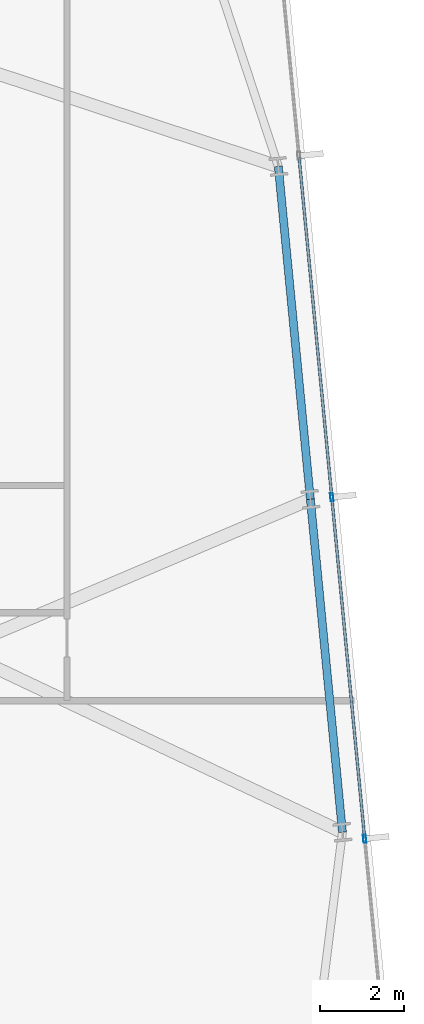
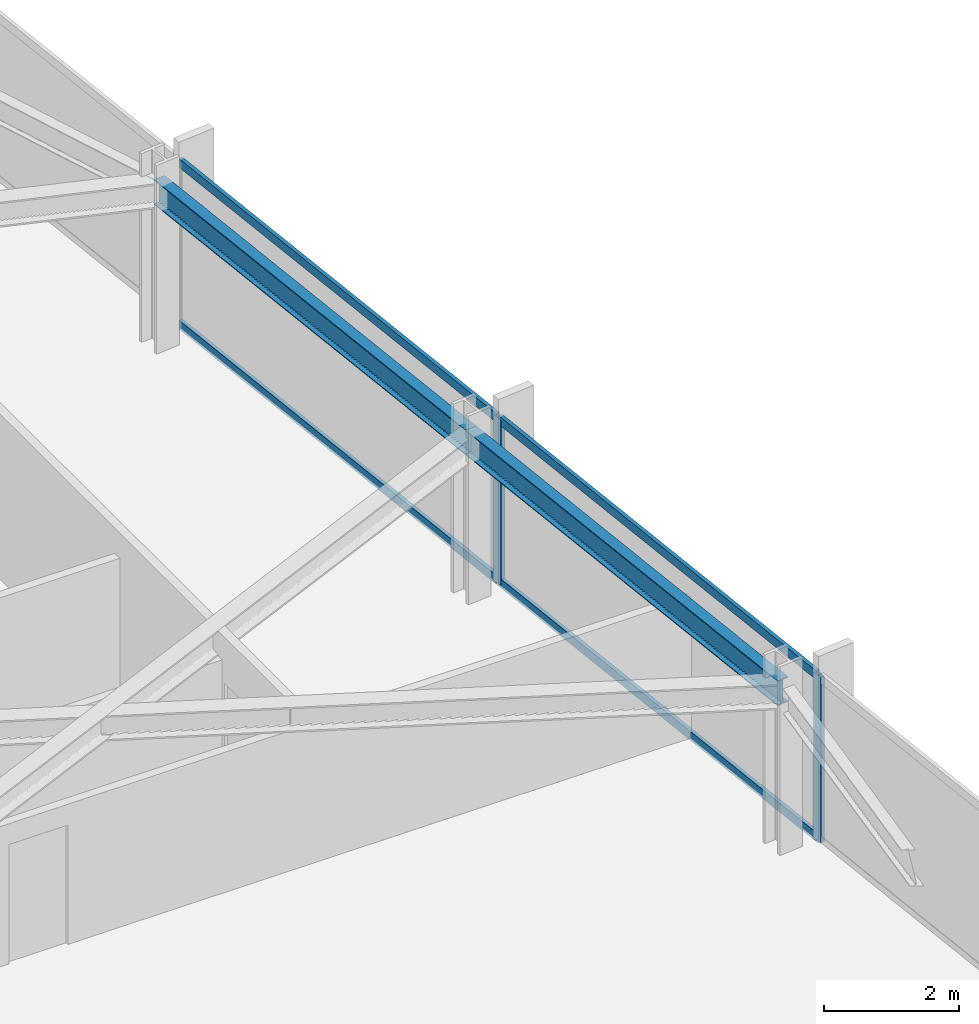
# One storey, part 16 of 32: 6 members, 2 beams, 1 element without a shape of its own.
"""IFC4 building model written with IfcOpenShell, lengths in metres."""

import ifcopenshell
import ifcopenshell.guid

model = None  # the IFC model being written
_history = None  # IfcOwnerHistory: only IFC2X3 demands one
_inside = {}  # id of a spatial element -> (the spatial element, [elements in it])
_under = {}  # id of a project, library or spatial element -> (it, [spatial elements below it])
_declared = {}  # id of a project -> (the project, [libraries it declares])
_typed = {}  # id of a type object -> (the type object, [elements of that type])
_made_of = {}  # id of a material, layer set ... -> (it, [elements and type objects made of it])


def new_model(schema):
    """Start an empty IFC model of exactly this schema.

    Asked for "IFC4X3", IfcOpenShell would pick the latest addendum, in which some entities
    have other attributes; the version numbers below select the first issue.
    IFC2X3 requires an IfcOwnerHistory on every rooted entity: one is made here for all.
    """
    global model, _history
    if schema == "IFC4X3":
        model = ifcopenshell.file(schema_version=(4, 3, 0, 0))
    else:
        model = ifcopenshell.file(schema=schema)
    _inside.clear()
    _under.clear()
    _declared.clear()
    _typed.clear()
    _made_of.clear()
    _history = None
    if model.schema == "IFC2X3":
        org = make("IfcOrganization", Name="unknown")
        user = make(
            "IfcPersonAndOrganization",
            ThePerson=make("IfcPerson", FamilyName="unknown"),
            TheOrganization=org,
        )
        app = make(
            "IfcApplication",
            ApplicationDeveloper=org,
            Version="unknown",
            ApplicationFullName="unknown",
            ApplicationIdentifier="unknown",
        )
        _history = make(
            "IfcOwnerHistory",
            OwningUser=user,
            OwningApplication=app,
            ChangeAction="ADDED",
            CreationDate=0,
        )
    return model


def make(cls, **values):
    """One entity of the class cls with the attributes given. An attribute that is None is left unset."""
    return model.create_entity(
        cls, **{name: value for name, value in values.items() if value is not None}
    )


def rooted(cls, **values):
    """An entity with a GlobalId (a new one), such as an element, a storey or a relation."""
    return make(cls, GlobalId=ifcopenshell.guid.new(), OwnerHistory=_history, **values)


def si_unit(unit_type, name, prefix=None):
    """IfcSIUnit, for example si_unit("LENGTHUNIT", "METRE", prefix="MILLI")."""
    return make("IfcSIUnit", UnitType=unit_type, Prefix=prefix, Name=name)


def assignment(units):
    """IfcUnitAssignment: the units of a project."""
    return None if units is None else make("IfcUnitAssignment", Units=units)


def point(xyz):
    """IfcCartesianPoint."""
    return None if xyz is None else make("IfcCartesianPoint", Coordinates=xyz)


def direction(xyz):
    """IfcDirection."""
    return None if xyz is None else make("IfcDirection", DirectionRatios=xyz)


def frame(location, z_axis=None, x_axis=None):
    """IfcAxis2Placement3D, a coordinate frame: its origin and axes. An axis left out is left unset."""
    return make(
        "IfcAxis2Placement3D",
        Location=point(location),
        Axis=direction(z_axis),
        RefDirection=direction(x_axis),
    )


def frame_2d(location, x_axis=None):
    """IfcAxis2Placement2D, a coordinate frame in the plane: its origin and x axis."""
    return make(
        "IfcAxis2Placement2D", Location=point(location), RefDirection=direction(x_axis)
    )


def origin():
    """The frame at (0, 0, 0) with its axes left unset."""
    return frame((0.0, 0.0, 0.0))


def origin_2d():
    """The frame at (0, 0) in the plane with its x axis left unset."""
    return frame_2d((0.0, 0.0))


def place(relative_to, where):
    """IfcLocalPlacement: puts the frame where relative to a parent placement (None: the world)."""
    return make(
        "IfcLocalPlacement", PlacementRelTo=relative_to, RelativePlacement=where
    )


def context(
    kind, dimensions, precision=None, world=None, true_north=None, identifier=None
):
    """IfcGeometricRepresentationContext, for example the 3D "Model" context."""
    return make(
        "IfcGeometricRepresentationContext",
        ContextIdentifier=identifier,
        ContextType=kind,
        CoordinateSpaceDimension=dimensions,
        Precision=precision,
        WorldCoordinateSystem=world,
        TrueNorth=true_north,
    )


def subcontext(parent, identifier, kind, view, scale=None):
    """IfcGeometricRepresentationSubContext, for example "Body" below "Model"."""
    return make(
        "IfcGeometricRepresentationSubContext",
        ContextIdentifier=identifier,
        ContextType=kind,
        ParentContext=parent,
        TargetScale=scale,
        TargetView=view,
    )


def project(units=None, contexts=None):
    """IfcProject with its units and contexts."""
    return rooted(
        "IfcProject",
        Name="project",
        RepresentationContexts=contexts,
        UnitsInContext=assignment(units),
    )


def spatial(cls, under=None, at=None, **own):
    """A site, building, storey or space (cls), placed at a placement, below another one or the project."""
    s = rooted(cls, ObjectPlacement=at, **own)
    if under is not None:
        _under.setdefault(under.id(), (under, []))[1].append(s)
    return s


def profile(cls, at=None, kind="AREA", **sizes):
    """A parametric profile (cls). Its sizes go by their IFC names, for example OverallWidth=200.0."""
    return make(cls, ProfileType=kind, Position=at, **sizes)


def hollow_rectangle(**sizes):
    """IfcRectangleHollowProfileDef."""
    return profile("IfcRectangleHollowProfileDef", **sizes)


def i_section(**sizes):
    """IfcIShapeProfileDef."""
    return profile("IfcIShapeProfileDef", **sizes)


def extrude(swept, where, along, depth):
    """IfcExtrudedAreaSolid: the profile swept, set in the frame where, extruded along a direction by depth."""
    return make(
        "IfcExtrudedAreaSolid",
        SweptArea=swept,
        Position=where,
        ExtrudedDirection=direction(along),
        Depth=depth,
    )


def shape(context_of_items, identifier, shape_type, items):
    """IfcShapeRepresentation: the items that make up one representation, for example the "Body"."""
    return make(
        "IfcShapeRepresentation",
        ContextOfItems=context_of_items,
        RepresentationIdentifier=identifier,
        RepresentationType=shape_type,
        Items=items,
    )


def material(Name=None, Category=None):
    """IfcMaterial."""
    return make("IfcMaterial", Name=Name, Category=Category)


def material_profile(
    of_material, cross_section, Name=None, Category=None, Priority=None
):
    """IfcMaterialProfile: a cross section and its material."""
    return make(
        "IfcMaterialProfile",
        Name=Name,
        Material=of_material,
        Profile=cross_section,
        Priority=Priority,
        Category=Category,
    )


def profile_set(profiles, Name=None, composite=None):
    """IfcMaterialProfileSet."""
    return make(
        "IfcMaterialProfileSet",
        Name=Name,
        MaterialProfiles=profiles,
        CompositeProfile=composite,
    )


def made_of(thing, what):
    """Note that an element or type object is made of a material, layer set ...; save() writes the relation."""
    if what is not None:
        _made_of.setdefault(what.id(), (what, []))[1].append(thing)
    return thing


def type_object(cls, material=None, **own):
    """A type object (cls), such as IfcWallType, which elements share."""
    return made_of(rooted(cls, **own), material)


def element(
    cls,
    number,
    at=None,
    inside=None,
    cuts=None,
    type_object=None,
    material=None,
    context=None,
    identifier="Body",
    shape_type=None,
    held_by="IfcProductDefinitionShape",
    body=None,
    shapes=None,
    **own,
):
    """One element of the class cls, such as IfcWall. Its Tag is "e" and its number.

    at: its placement. inside: the storey or other place that contains it. cuts: it is an
    opening in that element (IfcRelVoidsElement). A single representation is given by context,
    identifier, shape_type and body (its items); several are given by shapes. held_by: the class
    of the entity that holds the representations. save() writes the other relations.
    """
    e = rooted(cls, Tag="e%d" % number, ObjectPlacement=at, **own)
    if body is not None:
        shapes = [shape(context, identifier, shape_type, body)]
    if shapes is not None:
        e.Representation = make(held_by, Representations=shapes)
    if inside is not None:
        _inside.setdefault(inside.id(), (inside, []))[1].append(e)
    if cuts is not None:
        rooted(
            "IfcRelVoidsElement", RelatingBuildingElement=cuts, RelatedOpeningElement=e
        )
    if type_object is not None:
        _typed.setdefault(type_object.id(), (type_object, []))[1].append(e)
    return made_of(e, material)


def aggregate(whole, parts):
    """IfcRelAggregates: a whole, such as a stair, and the parts it consists of."""
    return rooted("IfcRelAggregates", RelatingObject=whole, RelatedObjects=parts)


def save(model, path):
    """Write the relations noted so far, then the file.

    IfcRelAggregates (storeys below a building ...), IfcRelContainedInSpatialStructure (elements
    in a storey), IfcRelDefinesByType, IfcRelAssociatesMaterial and IfcRelDeclares: one each for
    every whole, place, type object, material and project.
    """
    for whole, parts in _under.values():
        aggregate(whole, parts)
    for where, things in _inside.values():
        rooted(
            "IfcRelContainedInSpatialStructure",
            RelatedElements=things,
            RelatingStructure=where,
        )
    for kind, things in _typed.values():
        rooted("IfcRelDefinesByType", RelatedObjects=things, RelatingType=kind)
    for what, things in _made_of.values():
        rooted("IfcRelAssociatesMaterial", RelatedObjects=things, RelatingMaterial=what)
    for by, libraries in _declared.values():
        rooted("IfcRelDeclares", RelatingContext=by, RelatedDefinitions=libraries)
    model.write(path)


model = new_model("IFC4")

# Units and contexts
model_context = context("Model", 3, precision=1e-05, world=origin(), true_north=direction((0.0, 1.0)))
body_context = subcontext(model_context, "Body", "Model", "MODEL_VIEW")
ifc_project = project(units=[si_unit("LENGTHUNIT", "METRE"), si_unit("AREAUNIT", "SQUARE_METRE"), si_unit("VOLUMEUNIT", "CUBIC_METRE"), si_unit("PLANEANGLEUNIT", "RADIAN"), si_unit("MASSUNIT", "GRAM", prefix="KILO")], contexts=[model_context])

# Site, building, storey
site_placement = place(None, origin())
site = spatial("IfcSite", under=ifc_project, at=site_placement, CompositionType="ELEMENT")
building_placement = place(site_placement, origin())
building = spatial("IfcBuilding", under=site, at=building_placement, Name="Yelkora Congress Tower", CompositionType="ELEMENT")
storey_placement = place(building_placement, frame((0.0, 0.0, 133.89990234375)))
storey = spatial("IfcBuildingStorey", under=building, at=storey_placement, Name="L36", CompositionType="ELEMENT", Elevation=133.89990234375)

# Beams
ifc_material_1 = material(Name="Steel S355J2", Category="steel")
ifc_material_profile_1 = material_profile(ifc_material_1, i_section(OverallWidth=0.18994140625, OverallDepth=0.449951171875, WebThickness=0.009521484375, FlangeThickness=0.0146484375, FilletRadius=0.02099609375, at=origin_2d()), Name="IPE 450")
ifc_profile_set_1 = profile_set([ifc_material_profile_1], Name="Steel S355J2")
beam_type = type_object("IfcBeamType", Name="BM-SPAN-IPE450", PredefinedType="SPANDREL", material=ifc_profile_set_1)
beam_1_placement = place(storey_placement, frame((76.041259765625, 24.83349609375, 2.755126953125), z_axis=(-0.095839787071, 0.995396772757, 0.0), x_axis=(-0.995396772757, -0.095839787071, 0.0)))
element("IfcBeam", 1, at=beam_1_placement, inside=storey, type_object=beam_type, Name="L36 Perimeter Beam 11", PredefinedType="SPANDREL", context=body_context, shape_type="SweptSolid", body=[
    extrude(i_section(OverallWidth=0.18994140625, OverallDepth=0.449951171875, WebThickness=0.009521484375, FlangeThickness=0.0146484375, FilletRadius=0.02099609375, at=origin_2d()), origin(), (0.0, 0.0, 1.0), 7.9248046875),
])
beam_2_placement = place(storey_placement, frame((75.28173828125, 32.721923828125, 2.755126953125), z_axis=(-0.09583684824, 0.995397055712, 0.0), x_axis=(-0.995397055712, -0.09583684824, 0.0)))
element("IfcBeam", 2, at=beam_2_placement, inside=storey, type_object=beam_type, Name="L36 Perimeter Beam 12", PredefinedType="SPANDREL", context=body_context, shape_type="SweptSolid", body=[
    extrude(i_section(OverallWidth=0.18994140625, OverallDepth=0.449951171875, WebThickness=0.009521484375, FlangeThickness=0.0146484375, FilletRadius=0.02099609375, at=origin_2d()), origin(), (0.0, 0.0, 1.0), 7.925048828125),
])

# Curtain wall, members
ifc_material_2 = material(Name="Anodised aluminium and insulated glass", Category="aluminium")
curtain_wall_type = type_object("IfcCurtainWallType", Name="CW-SYS-B2", PredefinedType="NOTDEFINED", material=ifc_material_2)
curtain_wall_placement = place(storey_placement, origin())
curtain_wall = element("IfcCurtainWall", 3, at=curtain_wall_placement, inside=storey, type_object=curtain_wall_type, Name="L36 Unitised Curtain Wall 15", PredefinedType="NOTDEFINED")
ifc_material_3 = material(Name="Anodised aluminium 6063-T6", Category="aluminium")
ifc_material_profile_2 = material_profile(ifc_material_3, hollow_rectangle(XDim=0.070068359375, YDim=0.18994140625, WallThickness=0.00390625, at=origin_2d()), Name="ALU 70x190x4")
ifc_profile_set_2 = profile_set([ifc_material_profile_2], Name="Anodised aluminium 6063-T6")
member_type_1 = type_object("IfcMemberType", Name="MEM-ML-B2", PredefinedType="MULLION", material=ifc_profile_set_2)
member_1_placement = place(storey_placement, frame((75.789306640625, 32.770751953125, 0.0), z_axis=(0.0, 0.0, 1.0), x_axis=(0.995396507508, 0.095842541913, 0.0)))
member_1 = element("IfcMember", 4, at=member_1_placement, type_object=member_type_1, Name="CW-B2 mullion 3", PredefinedType="MULLION", context=body_context, shape_type="SweptSolid", body=[
    extrude(hollow_rectangle(XDim=0.070068359375, YDim=0.18994140625, WallThickness=0.00390625, at=origin_2d()), origin(), (0.0, 0.0, 1.0), 2.97998046875),
])
member_2_placement = place(storey_placement, frame((76.568603515625, 24.67822265625, 0.0), z_axis=(0.0, 0.0, 1.0), x_axis=(0.995396507508, 0.095842541913, 0.0)))
member_2 = element("IfcMember", 5, at=member_2_placement, type_object=member_type_1, Name="CW-B2 mullion 4", PredefinedType="MULLION", context=body_context, shape_type="SweptSolid", body=[
    extrude(hollow_rectangle(XDim=0.070068359375, YDim=0.18994140625, WallThickness=0.00390625, at=origin_2d()), origin(), (0.0, 0.0, 1.0), 2.97998046875),
])
ifc_material_profile_3 = material_profile(ifc_material_3, hollow_rectangle(XDim=0.06494140625, YDim=0.159912109375, WallThickness=0.00390625, at=origin_2d()), Name="ALU 65x160x4")
ifc_profile_set_3 = profile_set([ifc_material_profile_3], Name="Anodised aluminium 6063-T6")
member_type_2 = type_object("IfcMemberType", Name="MEM-TR-B2", PredefinedType="USERDEFINED", material=ifc_profile_set_3)
member_3_placement = place(storey_placement, frame((75.013427734375, 40.82861328125, 0.03271484375), z_axis=(0.095838228465, -0.995396922823, 0.0), x_axis=(0.995396922823, 0.095838228465, 0.0)))
member_3 = element("IfcMember", 6, at=member_3_placement, type_object=member_type_2, Name="CW-B2 transom 2.1", ObjectType="TRANSOM", PredefinedType="USERDEFINED", context=body_context, shape_type="SweptSolid", body=[
    extrude(hollow_rectangle(XDim=0.06494140625, YDim=0.159912109375, WallThickness=0.00390625, at=origin_2d()), origin(), (0.0, 0.0, 1.0), 8.06005859375),
])
member_4_placement = place(storey_placement, frame((75.013427734375, 40.82861328125, 2.947509765625), z_axis=(0.095838228465, -0.995396922823, 0.0), x_axis=(0.995396922823, 0.095838228465, 0.0)))
member_4 = element("IfcMember", 7, at=member_4_placement, type_object=member_type_2, Name="CW-B2 transom 2.2", ObjectType="TRANSOM", PredefinedType="USERDEFINED", context=body_context, shape_type="SweptSolid", body=[
    extrude(hollow_rectangle(XDim=0.06494140625, YDim=0.159912109375, WallThickness=0.00390625, at=origin_2d()), origin(), (0.0, 0.0, 1.0), 8.06005859375),
])
member_5_placement = place(storey_placement, frame((75.792724609375, 32.736083984375, 0.03271484375), z_axis=(0.095838228465, -0.995396922823, 0.0), x_axis=(0.995396922823, 0.095838228465, 0.0)))
member_5 = element("IfcMember", 8, at=member_5_placement, type_object=member_type_2, Name="CW-B2 transom 3.1", ObjectType="TRANSOM", PredefinedType="USERDEFINED", context=body_context, shape_type="SweptSolid", body=[
    extrude(hollow_rectangle(XDim=0.06494140625, YDim=0.159912109375, WallThickness=0.00390625, at=origin_2d()), origin(), (0.0, 0.0, 1.0), 8.06005859375),
])
member_6_placement = place(storey_placement, frame((75.792724609375, 32.736083984375, 2.947509765625), z_axis=(0.095838228465, -0.995396922823, 0.0), x_axis=(0.995396922823, 0.095838228465, 0.0)))
member_6 = element("IfcMember", 9, at=member_6_placement, type_object=member_type_2, Name="CW-B2 transom 3.2", ObjectType="TRANSOM", PredefinedType="USERDEFINED", context=body_context, shape_type="SweptSolid", body=[
    extrude(hollow_rectangle(XDim=0.06494140625, YDim=0.159912109375, WallThickness=0.00390625, at=origin_2d()), origin(), (0.0, 0.0, 1.0), 8.06005859375),
])
aggregate(curtain_wall, [member_1, member_2, member_3, member_4, member_5, member_6])

save(model, "model.ifc")
